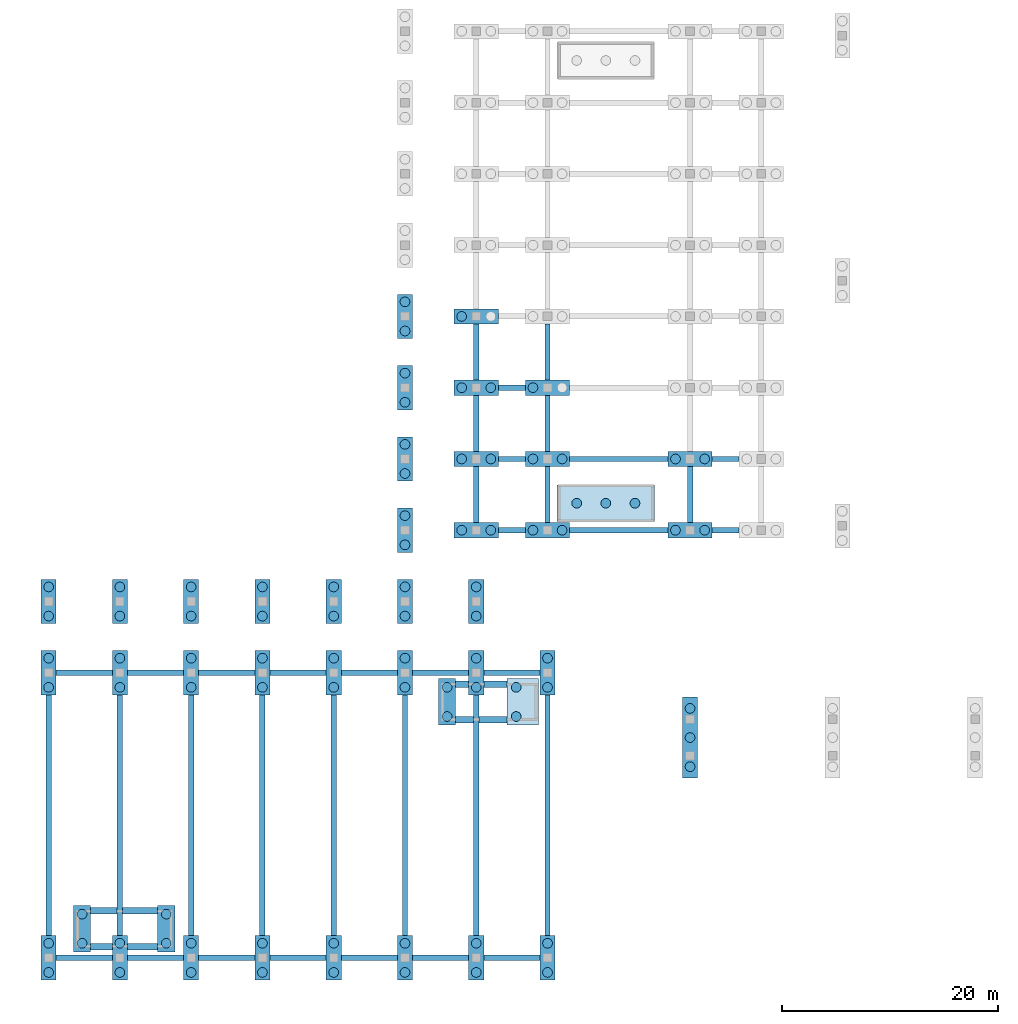
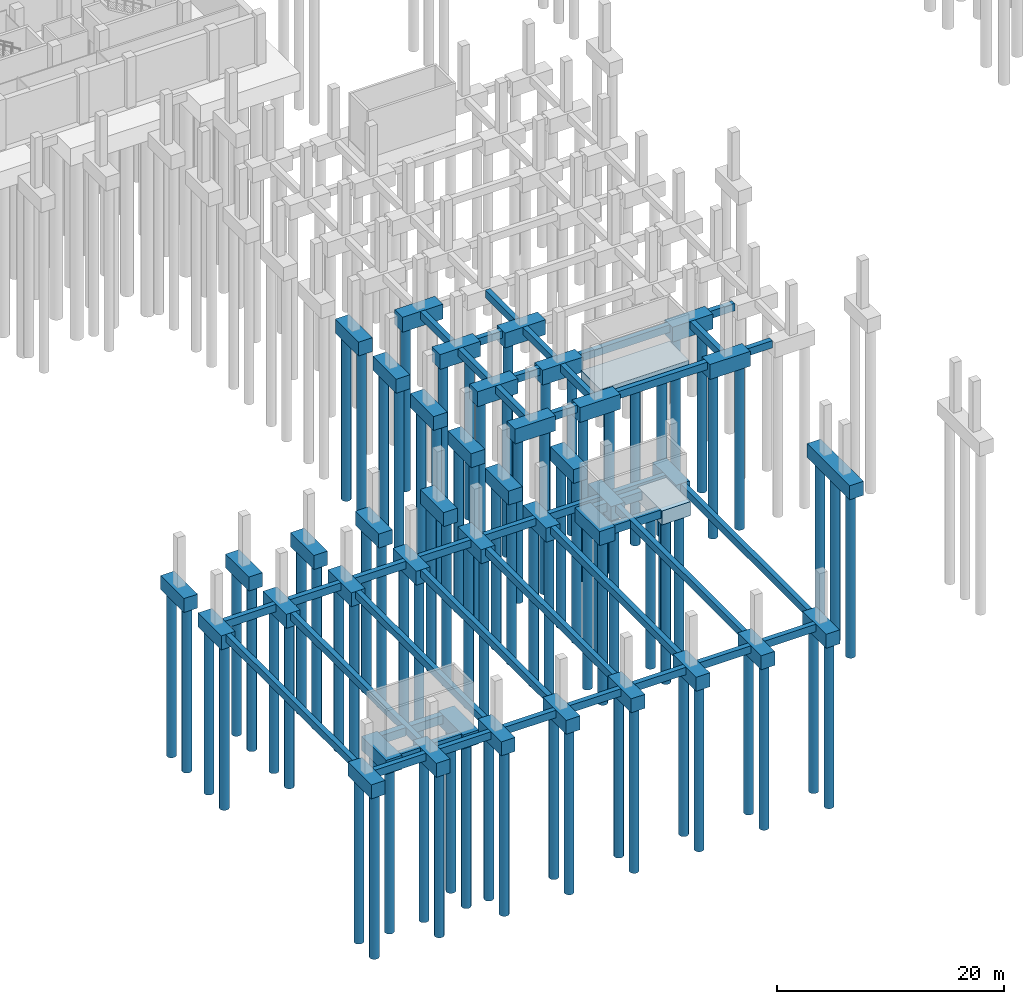
# One storey, part 1 of 23: 86 footings, 84 piles.
"""IFC4 building model written with IfcOpenShell, lengths in metres."""

from ifc_helpers import new_model, si_unit, direction, frame, origin, origin_2d, place, context, subcontext, project, spatial, rectangle, circle, extrude, material, material_profile, profile_set, type_object, element, save


model = new_model("IFC4")

# Units and contexts
model_context = context("Model", 3, precision=1e-05, world=origin(), true_north=direction((0.0, 1.0)))
body_context = subcontext(model_context, "Body", "Model", "MODEL_VIEW")
ifc_project = project(units=[si_unit("LENGTHUNIT", "METRE"), si_unit("AREAUNIT", "SQUARE_METRE"), si_unit("VOLUMEUNIT", "CUBIC_METRE"), si_unit("PLANEANGLEUNIT", "RADIAN"), si_unit("MASSUNIT", "GRAM", prefix="KILO")], contexts=[model_context])

# Site, building, storey
site_placement = place(None, origin())
site = spatial("IfcSite", under=ifc_project, at=site_placement, CompositionType="ELEMENT")
building_placement = place(site_placement, origin())
building = spatial("IfcBuilding", under=site, at=building_placement, Name="Dornvale Research Institute", CompositionType="ELEMENT")
storey_placement = place(building_placement, frame((0.0, 0.0, -5.39990234375)))
storey = spatial("IfcBuildingStorey", under=building, at=storey_placement, Name="B1", CompositionType="ELEMENT", Elevation=-5.39990234375)

# Piles
ifc_material_1 = material(Name="Concrete f'c 35 MPa (C30/37)", Category="concrete")
ifc_material_profile = material_profile(ifc_material_1, circle(Radius=0.449951171875, at=origin_2d()), Name="CIDH PILE D900")
ifc_profile_set = profile_set([ifc_material_profile], Name="Concrete f'c 35 MPa (C30/37)")
pile_type = type_object("IfcPileType", Name="BoredPile_CIDH_900", PredefinedType="BORED", material=ifc_profile_set)
for number, where, z_axis, x_axis, name in (
    (1, (0.0, -1.35009765625, -1.380126953125), (0.0, 0.0, -1.0), (1.0, 0.0, 0.0), "CIDH bored pile P-03 #1"),
    (2, (0.0, 1.35009765625, -1.380126953125), (0.0, 0.0, -1.0), (1.0, 0.0, 0.0), "CIDH bored pile P-03 #2"),
    (3, (6.60009765625, -1.35009765625, -1.380126953125), (0.0, 0.0, -1.0), (1.0, 0.0, 0.0), "CIDH bored pile P-03 #3"),
    (4, (6.60009765625, 1.35009765625, -1.380126953125), (0.0, 0.0, -1.0), (1.0, 0.0, 0.0), "CIDH bored pile P-03 #4"),
    (5, (13.199951171875, -1.35009765625, -1.380126953125), (0.0, 0.0, -1.0), (1.0, 0.0, 0.0), "CIDH bored pile P-03 #5"),
    (6, (13.199951171875, 1.35009765625, -1.380126953125), (0.0, 0.0, -1.0), (1.0, 0.0, 0.0), "CIDH bored pile P-03 #6"),
    (7, (19.800048828125, -1.35009765625, -1.380126953125), (0.0, 0.0, -1.0), (1.0, 0.0, 0.0), "CIDH bored pile P-03 #7"),
    (8, (19.800048828125, 1.35009765625, -1.380126953125), (0.0, 0.0, -1.0), (1.0, 0.0, 0.0), "CIDH bored pile P-03 #8"),
    (9, (26.39990234375, -1.35009765625, -1.380126953125), (0.0, 0.0, -1.0), (1.0, 0.0, 0.0), "CIDH bored pile P-03 #9"),
    (10, (26.39990234375, 1.35009765625, -1.380126953125), (0.0, 0.0, -1.0), (1.0, 0.0, 0.0), "CIDH bored pile P-03 #10"),
    (11, (33.0, -1.35009765625, -1.380126953125), (0.0, 0.0, -1.0), (1.0, 0.0, 0.0), "CIDH bored pile P-03 #11"),
    (12, (33.0, 1.35009765625, -1.380126953125), (0.0, 0.0, -1.0), (1.0, 0.0, 0.0), "CIDH bored pile P-03 #12"),
    (13, (39.60009765625, -1.35009765625, -1.380126953125), (0.0, 0.0, -1.0), (1.0, 0.0, 0.0), "CIDH bored pile P-03 #13"),
    (14, (39.60009765625, 1.35009765625, -1.380126953125), (0.0, 0.0, -1.0), (1.0, 0.0, 0.0), "CIDH bored pile P-03 #14"),
    (15, (46.199951171875, -1.35009765625, -1.380126953125), (0.0, 0.0, -1.0), (1.0, 0.0, 0.0), "CIDH bored pile P-03 #15"),
    (16, (46.199951171875, 1.35009765625, -1.380126953125), (0.0, 0.0, -1.0), (1.0, 0.0, 0.0), "CIDH bored pile P-03 #16"),
    (17, (0.0, 25.050048828125, -1.380126953125), (0.0, 0.0, -1.0), (1.0, 0.0, 0.0), "CIDH bored pile P-03 #101"),
    (18, (0.0, 27.75, -1.380126953125), (0.0, 0.0, -1.0), (1.0, 0.0, 0.0), "CIDH bored pile P-03 #102"),
    (19, (6.60009765625, 25.050048828125, -1.380126953125), (0.0, 0.0, -1.0), (1.0, 0.0, 0.0), "CIDH bored pile P-03 #103"),
    (20, (6.60009765625, 27.75, -1.380126953125), (0.0, 0.0, -1.0), (1.0, 0.0, 0.0), "CIDH bored pile P-03 #104"),
    (21, (13.199951171875, 25.050048828125, -1.380126953125), (0.0, 0.0, -1.0), (1.0, 0.0, 0.0), "CIDH bored pile P-03 #105"),
    (22, (13.199951171875, 27.75, -1.380126953125), (0.0, 0.0, -1.0), (1.0, 0.0, 0.0), "CIDH bored pile P-03 #106"),
    (23, (19.800048828125, 25.050048828125, -1.380126953125), (0.0, 0.0, -1.0), (1.0, 0.0, 0.0), "CIDH bored pile P-03 #107"),
    (24, (19.800048828125, 27.75, -1.380126953125), (0.0, 0.0, -1.0), (1.0, 0.0, 0.0), "CIDH bored pile P-03 #108"),
    (25, (26.39990234375, 25.050048828125, -1.380126953125), (0.0, 0.0, -1.0), (1.0, 0.0, 0.0), "CIDH bored pile P-03 #109"),
    (26, (26.39990234375, 27.75, -1.380126953125), (0.0, 0.0, -1.0), (1.0, 0.0, 0.0), "CIDH bored pile P-03 #110"),
    (27, (33.0, 25.050048828125, -1.380126953125), (0.0, 0.0, -1.0), (1.0, 0.0, 0.0), "CIDH bored pile P-03 #111"),
    (28, (33.0, 27.75, -1.380126953125), (0.0, 0.0, -1.0), (1.0, 0.0, 0.0), "CIDH bored pile P-03 #112"),
    (29, (39.60009765625, 25.050048828125, -1.380126953125), (0.0, 0.0, -1.0), (1.0, 0.0, 0.0), "CIDH bored pile P-03 #113"),
    (30, (39.60009765625, 27.75, -1.380126953125), (0.0, 0.0, -1.0), (1.0, 0.0, 0.0), "CIDH bored pile P-03 #114"),
    (31, (46.199951171875, 25.050048828125, -1.380126953125), (0.0, 0.0, -1.0), (1.0, 0.0, 0.0), "CIDH bored pile P-03 #115"),
    (32, (46.199951171875, 27.75, -1.380126953125), (0.0, 0.0, -1.0), (1.0, 0.0, 0.0), "CIDH bored pile P-03 #116"),
    (33, (0.0, 31.64990234375, -1.380126953125), (0.0, 0.0, -1.0), (1.0, 0.0, 0.0), "CIDH bored pile P-03 #149"),
    (34, (0.0, 34.35009765625, -1.380126953125), (0.0, 0.0, -1.0), (1.0, 0.0, 0.0), "CIDH bored pile P-03 #150"),
    (35, (6.60009765625, 31.64990234375, -1.380126953125), (0.0, 0.0, -1.0), (1.0, 0.0, 0.0), "CIDH bored pile P-03 #151"),
    (36, (6.60009765625, 34.35009765625, -1.380126953125), (0.0, 0.0, -1.0), (1.0, 0.0, 0.0), "CIDH bored pile P-03 #152"),
    (37, (13.199951171875, 31.64990234375, -1.380126953125), (0.0, 0.0, -1.0), (1.0, 0.0, 0.0), "CIDH bored pile P-03 #153"),
    (38, (13.199951171875, 34.35009765625, -1.380126953125), (0.0, 0.0, -1.0), (1.0, 0.0, 0.0), "CIDH bored pile P-03 #154"),
    (39, (19.800048828125, 31.64990234375, -1.380126953125), (0.0, 0.0, -1.0), (1.0, 0.0, 0.0), "CIDH bored pile P-03 #155"),
    (40, (19.800048828125, 34.35009765625, -1.380126953125), (0.0, 0.0, -1.0), (1.0, 0.0, 0.0), "CIDH bored pile P-03 #156"),
    (41, (26.39990234375, 31.64990234375, -1.380126953125), (0.0, 0.0, -1.0), (1.0, 0.0, 0.0), "CIDH bored pile P-03 #157"),
    (42, (26.39990234375, 34.35009765625, -1.380126953125), (0.0, 0.0, -1.0), (1.0, 0.0, 0.0), "CIDH bored pile P-03 #158"),
    (43, (33.0, 31.64990234375, -1.380126953125), (0.0, 0.0, -1.0), (1.0, 0.0, 0.0), "CIDH bored pile P-03 #159"),
    (44, (33.0, 34.35009765625, -1.380126953125), (0.0, 0.0, -1.0), (1.0, 0.0, 0.0), "CIDH bored pile P-03 #160"),
    (45, (39.60009765625, 31.64990234375, -1.380126953125), (0.0, 0.0, -1.0), (1.0, 0.0, 0.0), "CIDH bored pile P-03 #161"),
    (46, (39.60009765625, 34.35009765625, -1.380126953125), (0.0, 0.0, -1.0), (1.0, 0.0, 0.0), "CIDH bored pile P-03 #162"),
    (47, (33.0, 38.25, -1.380126953125), (0.0, 0.0, -1.0), (1.0, 0.0, 0.0), "CIDH bored pile P-03 #163"),
    (48, (33.0, 40.949951171875, -1.380126953125), (0.0, 0.0, -1.0), (1.0, 0.0, 0.0), "CIDH bored pile P-03 #164"),
):
    element("IfcPile", number, at=place(storey_placement, frame(where, z_axis=z_axis, x_axis=x_axis)), inside=storey, type_object=pile_type, Name=name, PredefinedType="BORED", context=body_context, shape_type="SweptSolid", body=[
        extrude(circle(Radius=0.449951171875, at=origin_2d()), origin(), (0.0, 0.0, 1.0), 17.719970703125),
    ])
for number, where, z_axis, x_axis, name in (
    (49, (38.25, 39.60009765625, -1.47998046875), (0.0, 0.0, -1.0), (1.0, 0.0, 0.0), "CIDH bored pile P-03 #167"),
    (50, (40.949951171875, 39.60009765625, -1.47998046875), (0.0, 0.0, -1.0), (1.0, 0.0, 0.0), "CIDH bored pile P-03 #168"),
    (51, (44.85009765625, 39.60009765625, -1.47998046875), (0.0, 0.0, -1.0), (1.0, 0.0, 0.0), "CIDH bored pile P-03 #169"),
    (52, (47.550048828125, 39.60009765625, -1.47998046875), (0.0, 0.0, -1.0), (1.0, 0.0, 0.0), "CIDH bored pile P-03 #170"),
    (53, (58.050048828125, 39.60009765625, -1.47998046875), (0.0, 0.0, -1.0), (1.0, 0.0, 0.0), "CIDH bored pile P-03 #171"),
    (54, (60.75, 39.60009765625, -1.47998046875), (0.0, 0.0, -1.0), (1.0, 0.0, 0.0), "CIDH bored pile P-03 #172"),
):
    element("IfcPile", number, at=place(storey_placement, frame(where, z_axis=z_axis, x_axis=x_axis)), inside=storey, type_object=pile_type, Name=name, PredefinedType="BORED", context=body_context, shape_type="SweptSolid", body=[
        extrude(circle(Radius=0.449951171875, at=origin_2d()), origin(), (0.0, 0.0, 1.0), 17.6201171875),
    ])
for number, where, z_axis, x_axis, name in (
    (55, (33.0, 44.85009765625, -1.380126953125), (0.0, 0.0, -1.0), (1.0, 0.0, 0.0), "CIDH bored pile P-03 #175"),
    (56, (33.0, 47.550048828125, -1.380126953125), (0.0, 0.0, -1.0), (1.0, 0.0, 0.0), "CIDH bored pile P-03 #176"),
):
    element("IfcPile", number, at=place(storey_placement, frame(where, z_axis=z_axis, x_axis=x_axis)), inside=storey, type_object=pile_type, Name=name, PredefinedType="BORED", context=body_context, shape_type="SweptSolid", body=[
        extrude(circle(Radius=0.449951171875, at=origin_2d()), origin(), (0.0, 0.0, 1.0), 17.719970703125),
    ])
for number, where, z_axis, x_axis, name in (
    (57, (38.25, 46.199951171875, -1.47998046875), (0.0, 0.0, -1.0), (1.0, 0.0, 0.0), "CIDH bored pile P-03 #177"),
    (58, (40.949951171875, 46.199951171875, -1.47998046875), (0.0, 0.0, -1.0), (1.0, 0.0, 0.0), "CIDH bored pile P-03 #178"),
    (59, (44.85009765625, 46.199951171875, -1.47998046875), (0.0, 0.0, -1.0), (1.0, 0.0, 0.0), "CIDH bored pile P-03 #179"),
    (60, (47.550048828125, 46.199951171875, -1.47998046875), (0.0, 0.0, -1.0), (1.0, 0.0, 0.0), "CIDH bored pile P-03 #180"),
    (61, (58.050048828125, 46.199951171875, -1.47998046875), (0.0, 0.0, -1.0), (1.0, 0.0, 0.0), "CIDH bored pile P-03 #181"),
    (62, (60.75, 46.199951171875, -1.47998046875), (0.0, 0.0, -1.0), (1.0, 0.0, 0.0), "CIDH bored pile P-03 #182"),
):
    element("IfcPile", number, at=place(storey_placement, frame(where, z_axis=z_axis, x_axis=x_axis)), inside=storey, type_object=pile_type, Name=name, PredefinedType="BORED", context=body_context, shape_type="SweptSolid", body=[
        extrude(circle(Radius=0.449951171875, at=origin_2d()), origin(), (0.0, 0.0, 1.0), 17.6201171875),
    ])
for number, where, z_axis, x_axis, name in (
    (63, (33.0, 51.449951171875, -1.380126953125), (0.0, 0.0, -1.0), (1.0, 0.0, 0.0), "CIDH bored pile P-03 #185"),
    (64, (33.0, 54.14990234375, -1.380126953125), (0.0, 0.0, -1.0), (1.0, 0.0, 0.0), "CIDH bored pile P-03 #186"),
):
    element("IfcPile", number, at=place(storey_placement, frame(where, z_axis=z_axis, x_axis=x_axis)), inside=storey, type_object=pile_type, Name=name, PredefinedType="BORED", context=body_context, shape_type="SweptSolid", body=[
        extrude(circle(Radius=0.449951171875, at=origin_2d()), origin(), (0.0, 0.0, 1.0), 17.719970703125),
    ])
for number, where, z_axis, x_axis, name in (
    (65, (38.25, 52.800048828125, -1.47998046875), (0.0, 0.0, -1.0), (1.0, 0.0, 0.0), "CIDH bored pile P-03 #187"),
    (66, (40.949951171875, 52.800048828125, -1.47998046875), (0.0, 0.0, -1.0), (1.0, 0.0, 0.0), "CIDH bored pile P-03 #188"),
    (67, (44.85009765625, 52.800048828125, -1.47998046875), (0.0, 0.0, -1.0), (1.0, 0.0, 0.0), "CIDH bored pile P-03 #189"),
):
    element("IfcPile", number, at=place(storey_placement, frame(where, z_axis=z_axis, x_axis=x_axis)), inside=storey, type_object=pile_type, Name=name, PredefinedType="BORED", context=body_context, shape_type="SweptSolid", body=[
        extrude(circle(Radius=0.449951171875, at=origin_2d()), origin(), (0.0, 0.0, 1.0), 17.6201171875),
    ])
for number, where, z_axis, x_axis, name in (
    (68, (33.0, 58.050048828125, -1.380126953125), (0.0, 0.0, -1.0), (1.0, 0.0, 0.0), "CIDH bored pile P-03 #195"),
    (69, (33.0, 60.75, -1.380126953125), (0.0, 0.0, -1.0), (1.0, 0.0, 0.0), "CIDH bored pile P-03 #196"),
):
    element("IfcPile", number, at=place(storey_placement, frame(where, z_axis=z_axis, x_axis=x_axis)), inside=storey, type_object=pile_type, Name=name, PredefinedType="BORED", context=body_context, shape_type="SweptSolid", body=[
        extrude(circle(Radius=0.449951171875, at=origin_2d()), origin(), (0.0, 0.0, 1.0), 17.719970703125),
    ])
pile_placement = place(storey_placement, frame((38.25, 59.39990234375, -1.47998046875), z_axis=(0.0, 0.0, -1.0), x_axis=(1.0, 0.0, 0.0)))
element("IfcPile", 70, at=pile_placement, inside=storey, type_object=pile_type, Name="CIDH bored pile P-03 #197", PredefinedType="BORED", context=body_context, shape_type="SweptSolid", body=[
    extrude(circle(Radius=0.449951171875, at=origin_2d()), origin(), (0.0, 0.0, 1.0), 17.6201171875),
])
for number, where, z_axis, x_axis, name in (
    (71, (59.39990234375, 17.699951171875, -1.380126953125), (0.0, 0.0, -1.0), (1.0, 0.0, 0.0), "Bridge CIDH bored pile P-03 #1"),
    (72, (59.39990234375, 20.39990234375, -1.380126953125), (0.0, 0.0, -1.0), (1.0, 0.0, 0.0), "Bridge CIDH bored pile P-03 #2"),
    (73, (59.39990234375, 23.10009765625, -1.380126953125), (0.0, 0.0, -1.0), (1.0, 0.0, 0.0), "Bridge CIDH bored pile P-03 #3"),
    (74, (48.89990234375, 42.10009765625, -1.380126953125), (0.0, 0.0, -1.0), (1.0, 0.0, 0.0), "Shaft CIDH bored pile P-03 ST-7-1"),
    (75, (51.60009765625, 42.10009765625, -1.380126953125), (0.0, 0.0, -1.0), (1.0, 0.0, 0.0), "Shaft CIDH bored pile P-03 ST-7-2"),
    (76, (54.300048828125, 42.10009765625, -1.380126953125), (0.0, 0.0, -1.0), (1.0, 0.0, 0.0), "Shaft CIDH bored pile P-03 ST-7-3"),
    (77, (3.10009765625, 1.35009765625, -1.380126953125), (0.0, 0.0, -1.0), (1.0, 0.0, 0.0), "Shaft CIDH bored pile P-03 ST-9-W1"),
    (78, (3.10009765625, 4.050048828125, -1.380126953125), (0.0, 0.0, -1.0), (1.0, 0.0, 0.0), "Shaft CIDH bored pile P-03 ST-9-W2"),
    (79, (10.89990234375, 1.35009765625, -1.380126953125), (0.0, 0.0, -1.0), (1.0, 0.0, 0.0), "Shaft CIDH bored pile P-03 ST-9-E1"),
    (80, (10.89990234375, 4.050048828125, -1.380126953125), (0.0, 0.0, -1.0), (1.0, 0.0, 0.0), "Shaft CIDH bored pile P-03 ST-9-E2"),
    (81, (36.89990234375, 22.35009765625, -1.380126953125), (0.0, 0.0, -1.0), (1.0, 0.0, 0.0), "Shaft CIDH bored pile P-03 ST-10-W1"),
    (82, (36.89990234375, 25.050048828125, -1.380126953125), (0.0, 0.0, -1.0), (1.0, 0.0, 0.0), "Shaft CIDH bored pile P-03 ST-10-W2"),
    (83, (43.300048828125, 22.35009765625, -1.380126953125), (0.0, 0.0, -1.0), (1.0, 0.0, 0.0), "Shaft CIDH bored pile P-03 ST-10-E1"),
    (84, (43.300048828125, 25.050048828125, -1.380126953125), (0.0, 0.0, -1.0), (1.0, 0.0, 0.0), "Shaft CIDH bored pile P-03 ST-10-E2"),
):
    element("IfcPile", number, at=place(storey_placement, frame(where, z_axis=z_axis, x_axis=x_axis)), inside=storey, type_object=pile_type, Name=name, PredefinedType="BORED", context=body_context, shape_type="SweptSolid", body=[
        extrude(circle(Radius=0.449951171875, at=origin_2d()), origin(), (0.0, 0.0, 1.0), 17.719970703125),
    ])

# Footings
ifc_material_2 = material(Name="Concrete f'c 35 MPa (C30/37)", Category="concrete")
footing_type_1 = type_object("IfcFootingType", Name="FootingBeam_Tie_500x800", PredefinedType="FOOTING_BEAM", material=ifc_material_2)
footing_1_placement = place(storey_placement, frame((42.89990234375, 39.60009765625, -0.80029296875), z_axis=(0.0, 0.0, 1.0), x_axis=(1.0, 0.0, 0.0)))
element("IfcFooting", 85, at=footing_1_placement, inside=storey, type_object=footing_type_1, Name="Seismic tie beam #173", PredefinedType="FOOTING_BEAM", context=body_context, shape_type="SweptSolid", body=[
    extrude(rectangle(XDim=2.5, YDim=0.5, at=origin_2d()), origin(), (0.0, 0.0, 1.0), 0.800048828125),
])
footing_2_placement = place(storey_placement, frame((52.800048828125, 39.60009765625, -0.80029296875), z_axis=(0.0, 0.0, 1.0), x_axis=(1.0, 0.0, 0.0)))
element("IfcFooting", 86, at=footing_2_placement, inside=storey, type_object=footing_type_1, Name="Seismic tie beam #174", PredefinedType="FOOTING_BEAM", context=body_context, shape_type="SweptSolid", body=[
    extrude(rectangle(XDim=9.10009765625, YDim=0.5, at=origin_2d()), origin(), (0.0, 0.0, 1.0), 0.800048828125),
])
for number, where, z_axis, x_axis, name in (
    (87, (62.699951171875, 39.60009765625, -0.80029296875), (0.0, 0.0, 1.0), (1.0, 0.0, 0.0), "Seismic tie beam #175"),
    (88, (42.89990234375, 46.199951171875, -0.80029296875), (0.0, 0.0, 1.0), (1.0, 0.0, 0.0), "Seismic tie beam #176"),
):
    element("IfcFooting", number, at=place(storey_placement, frame(where, z_axis=z_axis, x_axis=x_axis)), inside=storey, type_object=footing_type_1, Name=name, PredefinedType="FOOTING_BEAM", context=body_context, shape_type="SweptSolid", body=[
        extrude(rectangle(XDim=2.5, YDim=0.5, at=origin_2d()), origin(), (0.0, 0.0, 1.0), 0.800048828125),
    ])
footing_3_placement = place(storey_placement, frame((52.800048828125, 46.199951171875, -0.80029296875), z_axis=(0.0, 0.0, 1.0), x_axis=(1.0, 0.0, 0.0)))
element("IfcFooting", 89, at=footing_3_placement, inside=storey, type_object=footing_type_1, Name="Seismic tie beam #177", PredefinedType="FOOTING_BEAM", context=body_context, shape_type="SweptSolid", body=[
    extrude(rectangle(XDim=9.10009765625, YDim=0.5, at=origin_2d()), origin(), (0.0, 0.0, 1.0), 0.800048828125),
])
for number, where, z_axis, x_axis, name in (
    (90, (62.699951171875, 46.199951171875, -0.80029296875), (0.0, 0.0, 1.0), (1.0, 0.0, 0.0), "Seismic tie beam #178"),
    (91, (42.89990234375, 52.800048828125, -0.80029296875), (0.0, 0.0, 1.0), (1.0, 0.0, 0.0), "Seismic tie beam #179"),
):
    element("IfcFooting", number, at=place(storey_placement, frame(where, z_axis=z_axis, x_axis=x_axis)), inside=storey, type_object=footing_type_1, Name=name, PredefinedType="FOOTING_BEAM", context=body_context, shape_type="SweptSolid", body=[
        extrude(rectangle(XDim=2.5, YDim=0.5, at=origin_2d()), origin(), (0.0, 0.0, 1.0), 0.800048828125),
    ])
for number, where, z_axis, x_axis, name in (
    (92, (39.60009765625, 42.89990234375, -0.80029296875), (0.0, 0.0, 1.0), (0.0, 1.0, 0.0), "Seismic tie beam #197"),
    (93, (39.60009765625, 49.5, -0.80029296875), (0.0, 0.0, 1.0), (0.0, 1.0, 0.0), "Seismic tie beam #198"),
    (94, (39.60009765625, 56.10009765625, -0.80029296875), (0.0, 0.0, 1.0), (0.0, 1.0, 0.0), "Seismic tie beam #199"),
    (95, (46.199951171875, 42.89990234375, -0.80029296875), (0.0, 0.0, 1.0), (0.0, 1.0, 0.0), "Seismic tie beam #204"),
    (96, (46.199951171875, 49.5, -0.80029296875), (0.0, 0.0, 1.0), (0.0, 1.0, 0.0), "Seismic tie beam #205"),
    (97, (46.199951171875, 56.10009765625, -0.80029296875), (0.0, 0.0, 1.0), (0.0, 1.0, 0.0), "Seismic tie beam #206"),
    (98, (59.39990234375, 42.89990234375, -0.80029296875), (0.0, 0.0, 1.0), (0.0, 1.0, 0.0), "Seismic tie beam #211"),
    (99, (3.300048828125, 0.0, -0.80029296875), (0.0, 0.0, 1.0), (1.0, 0.0, 0.0), "Seismic tie beam #225"),
    (100, (9.89990234375, 0.0, -0.80029296875), (0.0, 0.0, 1.0), (1.0, 0.0, 0.0), "Seismic tie beam #226"),
    (101, (16.5, 0.0, -0.80029296875), (0.0, 0.0, 1.0), (1.0, 0.0, 0.0), "Seismic tie beam #227"),
    (102, (23.10009765625, 0.0, -0.80029296875), (0.0, 0.0, 1.0), (1.0, 0.0, 0.0), "Seismic tie beam #228"),
    (103, (29.699951171875, 0.0, -0.80029296875), (0.0, 0.0, 1.0), (1.0, 0.0, 0.0), "Seismic tie beam #229"),
    (104, (36.300048828125, 0.0, -0.80029296875), (0.0, 0.0, 1.0), (1.0, 0.0, 0.0), "Seismic tie beam #230"),
    (105, (42.89990234375, 0.0, -0.80029296875), (0.0, 0.0, 1.0), (1.0, 0.0, 0.0), "Seismic tie beam #231"),
    (106, (3.300048828125, 26.39990234375, -0.80029296875), (0.0, 0.0, 1.0), (1.0, 0.0, 0.0), "Seismic tie beam #232"),
    (107, (9.89990234375, 26.39990234375, -0.80029296875), (0.0, 0.0, 1.0), (1.0, 0.0, 0.0), "Seismic tie beam #233"),
    (108, (16.5, 26.39990234375, -0.80029296875), (0.0, 0.0, 1.0), (1.0, 0.0, 0.0), "Seismic tie beam #234"),
    (109, (23.10009765625, 26.39990234375, -0.80029296875), (0.0, 0.0, 1.0), (1.0, 0.0, 0.0), "Seismic tie beam #235"),
    (110, (29.699951171875, 26.39990234375, -0.80029296875), (0.0, 0.0, 1.0), (1.0, 0.0, 0.0), "Seismic tie beam #236"),
    (111, (36.300048828125, 26.39990234375, -0.80029296875), (0.0, 0.0, 1.0), (1.0, 0.0, 0.0), "Seismic tie beam #237"),
    (112, (42.89990234375, 26.39990234375, -0.80029296875), (0.0, 0.0, 1.0), (1.0, 0.0, 0.0), "Seismic tie beam #238"),
):
    element("IfcFooting", number, at=place(storey_placement, frame(where, z_axis=z_axis, x_axis=x_axis)), inside=storey, type_object=footing_type_1, Name=name, PredefinedType="FOOTING_BEAM", context=body_context, shape_type="SweptSolid", body=[
        extrude(rectangle(XDim=5.199951171875, YDim=0.5, at=origin_2d()), origin(), (0.0, 0.0, 1.0), 0.800048828125),
    ])
for number, where, z_axis, x_axis, name in (
    (113, (0.0, 13.199951171875, -0.80029296875), (0.0, 0.0, 1.0), (0.0, 1.0, 0.0), "Seismic tie beam #239"),
    (114, (6.60009765625, 13.199951171875, -0.80029296875), (0.0, 0.0, 1.0), (0.0, 1.0, 0.0), "Seismic tie beam #240"),
    (115, (13.199951171875, 13.199951171875, -0.80029296875), (0.0, 0.0, 1.0), (0.0, 1.0, 0.0), "Seismic tie beam #241"),
    (116, (19.800048828125, 13.199951171875, -0.80029296875), (0.0, 0.0, 1.0), (0.0, 1.0, 0.0), "Seismic tie beam #242"),
    (117, (26.39990234375, 13.199951171875, -0.80029296875), (0.0, 0.0, 1.0), (0.0, 1.0, 0.0), "Seismic tie beam #243"),
    (118, (33.0, 13.199951171875, -0.80029296875), (0.0, 0.0, 1.0), (0.0, 1.0, 0.0), "Seismic tie beam #244"),
    (119, (39.60009765625, 13.199951171875, -0.80029296875), (0.0, 0.0, 1.0), (0.0, 1.0, 0.0), "Seismic tie beam #245"),
    (120, (46.199951171875, 13.199951171875, -0.80029296875), (0.0, 0.0, 1.0), (0.0, 1.0, 0.0), "Seismic tie beam #246"),
):
    element("IfcFooting", number, at=place(storey_placement, frame(where, z_axis=z_axis, x_axis=x_axis)), inside=storey, type_object=footing_type_1, Name=name, PredefinedType="FOOTING_BEAM", context=body_context, shape_type="SweptSolid", body=[
        extrude(rectangle(XDim=22.300048828125, YDim=0.5, at=origin_2d()), origin(), (0.0, 0.0, 1.0), 0.800048828125),
    ])
ifc_material_3 = material(Name="Concrete f'c 35 MPa (C30/37)", Category="concrete")
footing_type_2 = type_object("IfcFootingType", Name="FootingBeam_Tie_600x900", PredefinedType="FOOTING_BEAM", material=ifc_material_3)
footing_4_placement = place(storey_placement, frame((5.125, 4.35009765625, -0.900146484375), z_axis=(0.0, 0.0, 1.0), x_axis=(1.0, 0.0, 0.0)))
element("IfcFooting", 121, at=footing_4_placement, inside=storey, type_object=footing_type_2, Name="B1 ST-9 shaft tie beam NW1", PredefinedType="FOOTING_BEAM", context=body_context, shape_type="SweptSolid", body=[
    extrude(rectangle(XDim=2.449951171875, YDim=0.60009765625, at=origin_2d()), origin(), (0.0, 0.0, 1.0), 0.89990234375),
])
footing_5_placement = place(storey_placement, frame((8.47509765625, 4.35009765625, -0.900146484375), z_axis=(0.0, 0.0, 1.0), x_axis=(1.0, 0.0, 0.0)))
element("IfcFooting", 122, at=footing_5_placement, inside=storey, type_object=footing_type_2, Name="B1 ST-9 shaft tie beam NE1", PredefinedType="FOOTING_BEAM", context=body_context, shape_type="SweptSolid", body=[
    extrude(rectangle(XDim=3.25, YDim=0.60009765625, at=origin_2d()), origin(), (0.0, 0.0, 1.0), 0.89990234375),
])
footing_6_placement = place(storey_placement, frame((4.89990234375, 1.050048828125, -0.900146484375), z_axis=(0.0, 0.0, 1.0), x_axis=(1.0, 0.0, 0.0)))
element("IfcFooting", 123, at=footing_6_placement, inside=storey, type_object=footing_type_2, Name="B1 ST-9 shaft tie beam SW", PredefinedType="FOOTING_BEAM", context=body_context, shape_type="SweptSolid", body=[
    extrude(rectangle(XDim=2.0, YDim=0.60009765625, at=origin_2d()), origin(), (0.0, 0.0, 1.0), 0.89990234375),
])
footing_7_placement = place(storey_placement, frame((8.699951171875, 1.050048828125, -0.900146484375), z_axis=(0.0, 0.0, 1.0), x_axis=(1.0, 0.0, 0.0)))
element("IfcFooting", 124, at=footing_7_placement, inside=storey, type_object=footing_type_2, Name="B1 ST-9 shaft tie beam SE", PredefinedType="FOOTING_BEAM", context=body_context, shape_type="SweptSolid", body=[
    extrude(rectangle(XDim=2.800048828125, YDim=0.60009765625, at=origin_2d()), origin(), (0.0, 0.0, 1.0), 0.89990234375),
])
footing_8_placement = place(storey_placement, frame((38.52490234375, 22.050048828125, -0.900146484375), z_axis=(0.0, 0.0, 1.0), x_axis=(1.0, 0.0, 0.0)))
element("IfcFooting", 125, at=footing_8_placement, inside=storey, type_object=footing_type_2, Name="B1 ST-10 shaft tie beam SW1", PredefinedType="FOOTING_BEAM", context=body_context, shape_type="SweptSolid", body=[
    extrude(rectangle(XDim=1.64990234375, YDim=0.60009765625, at=origin_2d()), origin(), (0.0, 0.0, 1.0), 0.89990234375),
])
footing_9_placement = place(storey_placement, frame((41.14990234375, 22.050048828125, -0.900146484375), z_axis=(0.0, 0.0, 1.0), x_axis=(1.0, 0.0, 0.0)))
element("IfcFooting", 126, at=footing_9_placement, inside=storey, type_object=footing_type_2, Name="B1 ST-10 shaft tie beam SE1", PredefinedType="FOOTING_BEAM", context=body_context, shape_type="SweptSolid", body=[
    extrude(rectangle(XDim=2.60009765625, YDim=0.60009765625, at=origin_2d()), origin(), (0.0, 0.0, 1.0), 0.89990234375),
])
footing_10_placement = place(storey_placement, frame((38.300048828125, 25.35009765625, -0.900146484375), z_axis=(0.0, 0.0, 1.0), x_axis=(1.0, 0.0, 0.0)))
element("IfcFooting", 127, at=footing_10_placement, inside=storey, type_object=footing_type_2, Name="B1 ST-10 shaft tie beam NW", PredefinedType="FOOTING_BEAM", context=body_context, shape_type="SweptSolid", body=[
    extrude(rectangle(XDim=1.199951171875, YDim=0.60009765625, at=origin_2d()), origin(), (0.0, 0.0, 1.0), 0.89990234375),
])
footing_11_placement = place(storey_placement, frame((41.375, 25.35009765625, -0.900146484375), z_axis=(0.0, 0.0, 1.0), x_axis=(1.0, 0.0, 0.0)))
element("IfcFooting", 128, at=footing_11_placement, inside=storey, type_object=footing_type_2, Name="B1 ST-10 shaft tie beam NE", PredefinedType="FOOTING_BEAM", context=body_context, shape_type="SweptSolid", body=[
    extrude(rectangle(XDim=2.14990234375, YDim=0.60009765625, at=origin_2d()), origin(), (0.0, 0.0, 1.0), 0.89990234375),
])
ifc_material_4 = material(Name="Concrete f'c 35 MPa (C30/37)", Category="concrete")
footing_type_3 = type_object("IfcFootingType", Name="PileCap_1400x4100x1500", PredefinedType="PILE_CAP", material=ifc_material_4)
for number, where, z_axis, x_axis, name in (
    (129, (0.0, 0.0, -1.5), (0.0, 0.0, 1.0), (1.0, 0.0, 0.0), "Pile cap PC-01 #1"),
    (130, (6.60009765625, 0.0, -1.5), (0.0, 0.0, 1.0), (1.0, 0.0, 0.0), "Pile cap PC-01 #2"),
    (131, (13.199951171875, 0.0, -1.5), (0.0, 0.0, 1.0), (1.0, 0.0, 0.0), "Pile cap PC-01 #3"),
    (132, (19.800048828125, 0.0, -1.5), (0.0, 0.0, 1.0), (1.0, 0.0, 0.0), "Pile cap PC-01 #4"),
    (133, (26.39990234375, 0.0, -1.5), (0.0, 0.0, 1.0), (1.0, 0.0, 0.0), "Pile cap PC-01 #5"),
    (134, (33.0, 0.0, -1.5), (0.0, 0.0, 1.0), (1.0, 0.0, 0.0), "Pile cap PC-01 #6"),
    (135, (39.60009765625, 0.0, -1.5), (0.0, 0.0, 1.0), (1.0, 0.0, 0.0), "Pile cap PC-01 #7"),
    (136, (46.199951171875, 0.0, -1.5), (0.0, 0.0, 1.0), (1.0, 0.0, 0.0), "Pile cap PC-01 #8"),
    (137, (0.0, 26.39990234375, -1.5), (0.0, 0.0, 1.0), (1.0, 0.0, 0.0), "Pile cap PC-01 #51"),
    (138, (6.60009765625, 26.39990234375, -1.5), (0.0, 0.0, 1.0), (1.0, 0.0, 0.0), "Pile cap PC-01 #52"),
    (139, (13.199951171875, 26.39990234375, -1.5), (0.0, 0.0, 1.0), (1.0, 0.0, 0.0), "Pile cap PC-01 #53"),
    (140, (19.800048828125, 26.39990234375, -1.5), (0.0, 0.0, 1.0), (1.0, 0.0, 0.0), "Pile cap PC-01 #54"),
    (141, (26.39990234375, 26.39990234375, -1.5), (0.0, 0.0, 1.0), (1.0, 0.0, 0.0), "Pile cap PC-01 #55"),
    (142, (33.0, 26.39990234375, -1.5), (0.0, 0.0, 1.0), (1.0, 0.0, 0.0), "Pile cap PC-01 #56"),
    (143, (39.60009765625, 26.39990234375, -1.5), (0.0, 0.0, 1.0), (1.0, 0.0, 0.0), "Pile cap PC-01 #57"),
    (144, (46.199951171875, 26.39990234375, -1.5), (0.0, 0.0, 1.0), (1.0, 0.0, 0.0), "Pile cap PC-01 #58"),
    (145, (0.0, 33.0, -1.5), (0.0, 0.0, 1.0), (1.0, 0.0, 0.0), "Pile cap PC-01 #75"),
    (146, (6.60009765625, 33.0, -1.5), (0.0, 0.0, 1.0), (1.0, 0.0, 0.0), "Pile cap PC-01 #76"),
    (147, (13.199951171875, 33.0, -1.5), (0.0, 0.0, 1.0), (1.0, 0.0, 0.0), "Pile cap PC-01 #77"),
    (148, (19.800048828125, 33.0, -1.5), (0.0, 0.0, 1.0), (1.0, 0.0, 0.0), "Pile cap PC-01 #78"),
    (149, (26.39990234375, 33.0, -1.5), (0.0, 0.0, 1.0), (1.0, 0.0, 0.0), "Pile cap PC-01 #79"),
    (150, (33.0, 33.0, -1.5), (0.0, 0.0, 1.0), (1.0, 0.0, 0.0), "Pile cap PC-01 #80"),
    (151, (39.60009765625, 33.0, -1.5), (0.0, 0.0, 1.0), (1.0, 0.0, 0.0), "Pile cap PC-01 #81"),
    (152, (33.0, 39.60009765625, -1.5), (0.0, 0.0, 1.0), (1.0, 0.0, 0.0), "Pile cap PC-01 #82"),
    (153, (33.0, 46.199951171875, -1.5), (0.0, 0.0, 1.0), (1.0, 0.0, 0.0), "Pile cap PC-01 #88"),
    (154, (33.0, 52.800048828125, -1.5), (0.0, 0.0, 1.0), (1.0, 0.0, 0.0), "Pile cap PC-01 #93"),
    (155, (33.0, 59.39990234375, -1.5), (0.0, 0.0, 1.0), (1.0, 0.0, 0.0), "Pile cap PC-01 #98"),
):
    element("IfcFooting", number, at=place(storey_placement, frame(where, z_axis=z_axis, x_axis=x_axis)), inside=storey, type_object=footing_type_3, Name=name, PredefinedType="PILE_CAP", context=body_context, shape_type="SweptSolid", body=[
        extrude(rectangle(XDim=1.39990234375, YDim=4.10009765625, at=origin_2d()), origin(), (0.0, 0.0, 1.0), 1.5),
    ])
ifc_material_5 = material(Name="Concrete f'c 35 MPa (C30/37)", Category="concrete")
footing_type_4 = type_object("IfcFootingType", Name="PileCap_1400x7500x1500", PredefinedType="PILE_CAP", material=ifc_material_5)
footing_12_placement = place(storey_placement, frame((59.39990234375, 20.39990234375, -1.5), z_axis=(0.0, 0.0, 1.0), x_axis=(1.0, 0.0, 0.0)))
element("IfcFooting", 156, at=footing_12_placement, inside=storey, type_object=footing_type_4, Name="Bridge pier pile cap PC-11 #1", PredefinedType="PILE_CAP", context=body_context, shape_type="SweptSolid", body=[
    extrude(rectangle(XDim=1.39990234375, YDim=7.5, at=origin_2d()), origin(), (0.0, 0.0, 1.0), 1.5),
])
ifc_material_6 = material(Name="Concrete f'c 35 MPa (C30/37)", Category="concrete")
footing_type_5 = type_object("IfcFootingType", Name="PileCap_1600x4300x1500", PredefinedType="PILE_CAP", material=ifc_material_6)
for number, where, z_axis, x_axis, name in (
    (157, (3.10009765625, 2.699951171875, -1.5), (0.0, 0.0, 1.0), (1.0, 0.0, 0.0), "Pile cap PC-16 ST-9-W"),
    (158, (10.89990234375, 2.699951171875, -1.5), (0.0, 0.0, 1.0), (1.0, 0.0, 0.0), "Pile cap PC-16 ST-9-E"),
    (159, (36.89990234375, 23.699951171875, -1.5), (0.0, 0.0, 1.0), (1.0, 0.0, 0.0), "Pile cap PC-16 ST-10-W"),
):
    element("IfcFooting", number, at=place(storey_placement, frame(where, z_axis=z_axis, x_axis=x_axis)), inside=storey, type_object=footing_type_5, Name=name, PredefinedType="PILE_CAP", context=body_context, shape_type="SweptSolid", body=[
        extrude(rectangle(XDim=1.60009765625, YDim=4.300048828125, at=origin_2d()), origin(), (0.0, 0.0, 1.0), 1.5),
    ])
ifc_material_7 = material(Name="Concrete f'c 35 MPa (C30/37)", Category="concrete")
footing_type_6 = type_object("IfcFootingType", Name="PileCap_2900x4300x1500", PredefinedType="PILE_CAP", material=ifc_material_7)
footing_13_placement = place(storey_placement, frame((43.89990234375, 23.699951171875, -1.5), z_axis=(0.0, 0.0, 1.0), x_axis=(1.0, 0.0, 0.0)))
element("IfcFooting", 160, at=footing_13_placement, inside=storey, type_object=footing_type_6, Name="Pile cap PC-17 ST-10-E", PredefinedType="PILE_CAP", context=body_context, shape_type="SweptSolid", body=[
    extrude(rectangle(XDim=2.89990234375, YDim=4.300048828125, at=origin_2d()), origin(), (0.0, 0.0, 1.0), 1.5),
])
ifc_material_8 = material(Name="Concrete f'c 35 MPa (C30/37)", Category="concrete")
footing_type_7 = type_object("IfcFootingType", Name="PileCap_4100x1400x1600", PredefinedType="PILE_CAP", material=ifc_material_8)
for number, where, z_axis, x_axis, name in (
    (161, (39.60009765625, 39.60009765625, -1.60009765625), (0.0, 0.0, 1.0), (1.0, 0.0, 0.0), "Pile cap PC-04 #84"),
    (162, (46.199951171875, 39.60009765625, -1.60009765625), (0.0, 0.0, 1.0), (1.0, 0.0, 0.0), "Pile cap PC-04 #85"),
    (163, (59.39990234375, 39.60009765625, -1.60009765625), (0.0, 0.0, 1.0), (1.0, 0.0, 0.0), "Pile cap PC-04 #86"),
    (164, (39.60009765625, 46.199951171875, -1.60009765625), (0.0, 0.0, 1.0), (1.0, 0.0, 0.0), "Pile cap PC-04 #89"),
    (165, (46.199951171875, 46.199951171875, -1.60009765625), (0.0, 0.0, 1.0), (1.0, 0.0, 0.0), "Pile cap PC-04 #90"),
    (166, (59.39990234375, 46.199951171875, -1.60009765625), (0.0, 0.0, 1.0), (1.0, 0.0, 0.0), "Pile cap PC-04 #91"),
    (167, (39.60009765625, 52.800048828125, -1.60009765625), (0.0, 0.0, 1.0), (1.0, 0.0, 0.0), "Pile cap PC-04 #94"),
    (168, (46.199951171875, 52.800048828125, -1.60009765625), (0.0, 0.0, 1.0), (1.0, 0.0, 0.0), "Pile cap PC-04 #95"),
    (169, (39.60009765625, 59.39990234375, -1.60009765625), (0.0, 0.0, 1.0), (1.0, 0.0, 0.0), "Pile cap PC-04 #99"),
):
    element("IfcFooting", number, at=place(storey_placement, frame(where, z_axis=z_axis, x_axis=x_axis)), inside=storey, type_object=footing_type_7, Name=name, PredefinedType="PILE_CAP", context=body_context, shape_type="SweptSolid", body=[
        extrude(rectangle(XDim=4.10009765625, YDim=1.39990234375, at=origin_2d()), origin(), (0.0, 0.0, 1.0), 1.60009765625),
    ])
ifc_material_9 = material(Name="Concrete f'c 35 MPa (C30/37)", Category="concrete")
footing_type_8 = type_object("IfcFootingType", Name="PileCap_9000x3400x1500", PredefinedType="PILE_CAP", material=ifc_material_9)
footing_14_placement = place(storey_placement, frame((51.60009765625, 42.10009765625, -1.5), z_axis=(0.0, 0.0, 1.0), x_axis=(1.0, 0.0, 0.0)))
element("IfcFooting", 170, at=footing_14_placement, inside=storey, type_object=footing_type_8, Name="Pile cap PC-15 ST-7", PredefinedType="PILE_CAP", context=body_context, shape_type="SweptSolid", body=[
    extrude(rectangle(XDim=9.0, YDim=3.39990234375, at=origin_2d()), origin(), (0.0, 0.0, 1.0), 1.5),
])

save(model, "model.ifc")
